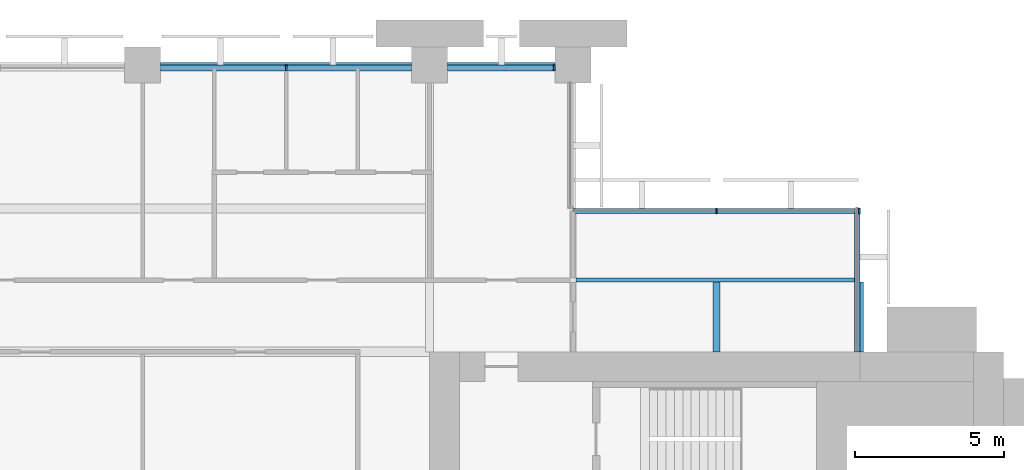
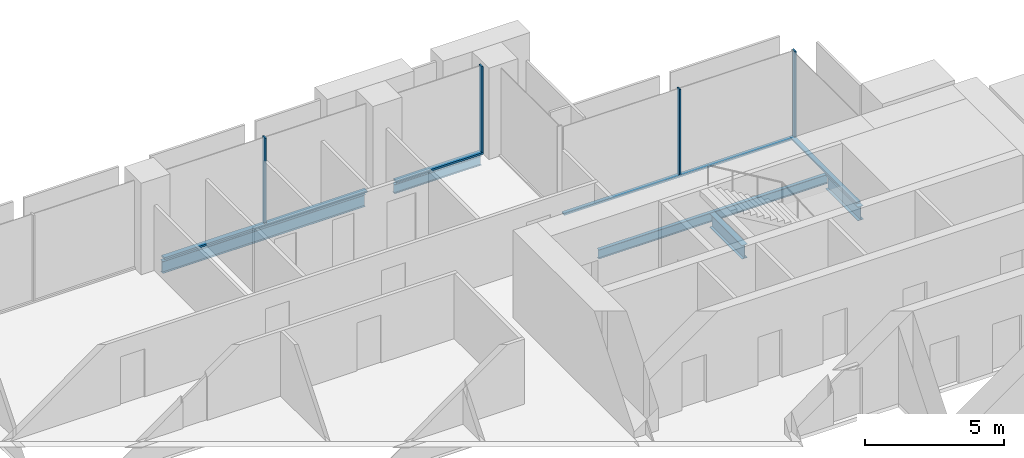
# One storey, part 7 of 14: 8 members, 5 beams, 3 elements without a shape of their own.
"""IFC4 building model written with IfcOpenShell, lengths in metres."""

from ifc_helpers import new_model, si_unit, direction, frame, origin, origin_2d, place, context, subcontext, project, spatial, rectangle, i_section, extrude, material, material_profile, profile_set, type_object, element, aggregate, save


model = new_model("IFC4")

# Units and contexts
model_context = context("Model", 3, precision=1e-05, world=origin(), true_north=direction((0.0, 1.0)))
body_context = subcontext(model_context, "Body", "Model", "MODEL_VIEW")
ifc_project = project(units=[si_unit("LENGTHUNIT", "METRE"), si_unit("AREAUNIT", "SQUARE_METRE"), si_unit("VOLUMEUNIT", "CUBIC_METRE"), si_unit("PLANEANGLEUNIT", "RADIAN"), si_unit("MASSUNIT", "GRAM", prefix="KILO")], contexts=[model_context])

# Site, building, storey
site_placement = place(None, origin())
site = spatial("IfcSite", under=ifc_project, at=site_placement, CompositionType="ELEMENT")
building_placement = place(site_placement, origin())
building = spatial("IfcBuilding", under=site, at=building_placement, Name="Baori Bourse Tower", CompositionType="ELEMENT")
storey_placement = place(building_placement, frame((0.0, 0.0, 124.10009765625)))
storey = spatial("IfcBuildingStorey", under=building, at=storey_placement, Name="L26", CompositionType="ELEMENT", Elevation=124.10009765625)

# Curtain wall, members
ifc_material_1 = material(Name="Pale anodised aluminium", Category="aluminium")
curtain_wall_type_1 = type_object("IfcCurtainWallType", Name="CW1 Curtain wall", PredefinedType="NOTDEFINED", material=ifc_material_1)
curtain_wall_1_placement = place(storey_placement, origin())
curtain_wall_1 = element("IfcCurtainWall", 1, at=curtain_wall_1_placement, inside=storey, type_object=curtain_wall_type_1, Name="Curtain wall CW1 L26 4", PredefinedType="NOTDEFINED")
ifc_material_2 = material(Name="Pale anodised aluminium", Category="aluminium")
ifc_material_profile_1 = material_profile(ifc_material_2, rectangle(XDim=0.199951171875, YDim=0.06005859375, at=origin_2d()), Name="Mullion 60x200")
ifc_profile_set_1 = profile_set([ifc_material_profile_1], Name="Pale anodised aluminium")
member_type_1 = type_object("IfcMemberType", Name="CW1 Curtain wall mullion", PredefinedType="MULLION", material=ifc_profile_set_1)
member_1_placement = place(storey_placement, frame((42.570068359375, 47.89990234375, 0.079833984375), z_axis=(0.0, 0.0, 1.0), x_axis=(0.0, -1.0, 0.0)))
member_1 = element("IfcMember", 2, at=member_1_placement, type_object=member_type_1, Name="Curtain wall CW1 mullion", PredefinedType="MULLION", context=body_context, shape_type="SweptSolid", body=[
    extrude(rectangle(XDim=0.199951171875, YDim=0.06005859375, at=origin_2d()), origin(), (0.0, 0.0, 1.0), 3.760009765625),
])
member_2_placement = place(storey_placement, frame((33.60009765625, 47.89990234375, 0.079833984375), z_axis=(0.0, 0.0, 1.0), x_axis=(0.0, -1.0, 0.0)))
member_2 = element("IfcMember", 3, at=member_2_placement, type_object=member_type_1, Name="Curtain wall CW1 mullion", PredefinedType="MULLION", context=body_context, shape_type="SweptSolid", body=[
    extrude(rectangle(XDim=0.199951171875, YDim=0.06005859375, at=origin_2d()), origin(), (0.0, 0.0, 1.0), 3.760009765625),
])
ifc_material_3 = material(Name="Pale anodised aluminium", Category="aluminium")
ifc_material_profile_2 = material_profile(ifc_material_3, rectangle(XDim=0.199951171875, YDim=0.080078125, at=origin_2d()), Name="Transom 80x200")
ifc_profile_set_2 = profile_set([ifc_material_profile_2], Name="Pale anodised aluminium")
member_type_2 = type_object("IfcMemberType", Name="CW1 Curtain wall transom", PredefinedType="USERDEFINED", material=ifc_profile_set_2)
member_3_placement = place(storey_placement, frame((42.60009765625, 47.89990234375, 0.039794921875), z_axis=(-1.0, 0.0, 0.0), x_axis=(0.0, -1.0, 0.0)))
member_3 = element("IfcMember", 4, at=member_3_placement, type_object=member_type_2, Name="Curtain wall CW1 sill rail", ObjectType="TRANSOM", PredefinedType="USERDEFINED", context=body_context, shape_type="SweptSolid", body=[
    extrude(rectangle(XDim=0.199951171875, YDim=0.080078125, at=origin_2d()), origin(), (0.0, 0.0, 1.0), 3.60009765625),
])
member_4_placement = place(storey_placement, frame((37.800048828125, 47.89990234375, 0.039794921875), z_axis=(-1.0, 0.0, 0.0), x_axis=(0.0, -1.0, 0.0)))
member_4 = element("IfcMember", 5, at=member_4_placement, type_object=member_type_2, Name="Curtain wall CW1 sill rail", ObjectType="TRANSOM", PredefinedType="USERDEFINED", context=body_context, shape_type="SweptSolid", body=[
    extrude(rectangle(XDim=0.199951171875, YDim=0.080078125, at=origin_2d()), origin(), (0.0, 0.0, 1.0), 8.400146484375),
])
aggregate(curtain_wall_1, [member_3, member_1, member_4, member_2])

ifc_material_4 = material(Name="Pale anodised aluminium", Category="aluminium")
curtain_wall_type_2 = type_object("IfcCurtainWallType", Name="CW2 Curtain wall", PredefinedType="NOTDEFINED", material=ifc_material_4)
curtain_wall_2_placement = place(storey_placement, origin())
curtain_wall_2 = element("IfcCurtainWall", 6, at=curtain_wall_2_placement, inside=storey, type_object=curtain_wall_type_2, Name="Curtain wall CW2 L26 2", PredefinedType="NOTDEFINED")
ifc_material_5 = material(Name="Pale anodised aluminium", Category="aluminium")
ifc_material_profile_3 = material_profile(ifc_material_5, rectangle(XDim=0.179931640625, YDim=0.054931640625, at=origin_2d()), Name="Mullion 55x180")
ifc_profile_set_3 = profile_set([ifc_material_profile_3], Name="Pale anodised aluminium")
member_type_3 = type_object("IfcMemberType", Name="CW2 Curtain wall mullion", PredefinedType="MULLION", material=ifc_profile_set_3)
member_5_placement = place(storey_placement, frame((52.7724609375, 43.110107421875, 0.06982421875), z_axis=(0.0, 0.0, 1.0), x_axis=(0.0, -1.0, 0.0)))
member_5 = element("IfcMember", 7, at=member_5_placement, type_object=member_type_3, Name="Curtain wall CW2 mullion", PredefinedType="MULLION", context=body_context, shape_type="SweptSolid", body=[
    extrude(rectangle(XDim=0.179931640625, YDim=0.054931640625, at=origin_2d()), origin(), (0.0, 0.0, 1.0), 3.77001953125),
])
member_6_placement = place(storey_placement, frame((48.0, 43.110107421875, 0.06982421875), z_axis=(0.0, 0.0, 1.0), x_axis=(0.0, -1.0, 0.0)))
member_6 = element("IfcMember", 8, at=member_6_placement, type_object=member_type_3, Name="Curtain wall CW2 mullion", PredefinedType="MULLION", context=body_context, shape_type="SweptSolid", body=[
    extrude(rectangle(XDim=0.179931640625, YDim=0.054931640625, at=origin_2d()), origin(), (0.0, 0.0, 1.0), 3.77001953125),
])

# Curtain wall, member
curtain_wall_3_placement = place(storey_placement, origin())
curtain_wall_3 = element("IfcCurtainWall", 9, at=curtain_wall_3_placement, inside=storey, type_object=curtain_wall_type_2, Name="Curtain wall CW2 L26 1", PredefinedType="NOTDEFINED")
ifc_material_6 = material(Name="Pale anodised aluminium", Category="aluminium")
ifc_material_profile_4 = material_profile(ifc_material_6, rectangle(XDim=0.179931640625, YDim=0.070068359375, at=origin_2d()), Name="Transom 70x180")
ifc_profile_set_4 = profile_set([ifc_material_profile_4], Name="Pale anodised aluminium")
member_type_4 = type_object("IfcMemberType", Name="CW2 Curtain wall transom", PredefinedType="USERDEFINED", material=ifc_profile_set_4)
member_7_placement = place(storey_placement, frame((52.7099609375, 38.39990234375, 0.034912109375), z_axis=(0.0, 1.0, 0.0), x_axis=(-1.0, 0.0, 0.0)))
member_7 = element("IfcMember", 10, at=member_7_placement, type_object=member_type_4, Name="Curtain wall CW2 sill rail", ObjectType="TRANSOM", PredefinedType="USERDEFINED", context=body_context, shape_type="SweptSolid", body=[
    extrude(rectangle(XDim=0.179931640625, YDim=0.070068359375, at=origin_2d()), origin(), (0.0, 0.0, 1.0), 4.800048828125),
])
aggregate(curtain_wall_3, [member_7])

# Member
member_8_placement = place(storey_placement, frame((52.800048828125, 43.110107421875, 0.034912109375), z_axis=(-1.0, 0.0, 0.0), x_axis=(0.0, -1.0, 0.0)))
member_8 = element("IfcMember", 11, at=member_8_placement, type_object=member_type_4, Name="Curtain wall CW2 sill rail", ObjectType="TRANSOM", PredefinedType="USERDEFINED", context=body_context, shape_type="SweptSolid", body=[
    extrude(rectangle(XDim=0.179931640625, YDim=0.070068359375, at=origin_2d()), origin(), (0.0, 0.0, 1.0), 9.60009765625),
])

aggregate(curtain_wall_2, [member_8, member_5, member_6])

# Beams
ifc_material_7 = material(Name="Steel A992 Gr 50", Category="steel")
ifc_material_profile_5 = material_profile(ifc_material_7, i_section(OverallWidth=0.227783203125, OverallDepth=0.60205078125, WebThickness=0.010498046875, FlangeThickness=0.014892578125, at=origin_2d()), Name="W24x68")
ifc_profile_set_5 = profile_set([ifc_material_profile_5], Name="Steel A992 Gr 50")
beam_type_1 = type_object("IfcBeamType", Name="Core bracket W24x68", PredefinedType="BEAM", material=ifc_profile_set_5)
for number, where, z_axis, x_axis, name in (
    (12, (48.0, 38.39990234375, -0.461181640625), (0.0, 1.0, 0.0), (-1.0, 0.0, 0.0), "Core bracket L26"),
    (13, (52.800048828125, 38.39990234375, -0.461181640625), (0.0, 1.0, 0.0), (-1.0, 0.0, 0.0), "Core bracket L26"),
):
    element("IfcBeam", number, at=place(storey_placement, frame(where, z_axis=z_axis, x_axis=x_axis)), inside=storey, type_object=beam_type_1, Name=name, PredefinedType="BEAM", context=body_context, shape_type="SweptSolid", body=[
        extrude(i_section(OverallWidth=0.227783203125, OverallDepth=0.60205078125, WebThickness=0.010498046875, FlangeThickness=0.014892578125, at=origin_2d()), origin(), (0.0, 0.0, 1.0), 2.329833984375),
    ])
ifc_material_8 = material(Name="Steel A992 Gr 50", Category="steel")
ifc_material_profile_6 = material_profile(ifc_material_8, i_section(OverallWidth=0.140380859375, OverallDepth=0.40380859375, WebThickness=0.007080078125, FlangeThickness=0.01123046875, at=origin_2d()), Name="W16x31")
ifc_profile_set_6 = profile_set([ifc_material_profile_6], Name="Steel A992 Gr 50")
beam_type_2 = type_object("IfcBeamType", Name="Edge beam W16x31", PredefinedType="BEAM", material=ifc_profile_set_6)
beam_1_placement = place(storey_placement, frame((39.0, 48.0, -0.362060546875), z_axis=(1.0, 0.0, 0.0), x_axis=(0.0, 1.0, 0.0)))
element("IfcBeam", 14, at=beam_1_placement, inside=storey, type_object=beam_type_2, Name="Edge beam L26", PredefinedType="BEAM", context=body_context, shape_type="SweptSolid", body=[
    extrude(i_section(OverallWidth=0.140380859375, OverallDepth=0.40380859375, WebThickness=0.007080078125, FlangeThickness=0.01123046875, at=origin_2d()), origin(), (0.0, 0.0, 1.0), 3.60009765625),
])
ifc_material_9 = material(Name="Steel A992 Gr 50", Category="steel")
ifc_material_profile_7 = material_profile(ifc_material_9, i_section(OverallWidth=0.1650390625, OverallDepth=0.52587890625, WebThickness=0.0087890625, FlangeThickness=0.011474609375, at=origin_2d()), Name="W21x44")
ifc_profile_set_7 = profile_set([ifc_material_profile_7], Name="Steel A992 Gr 50")
beam_type_3 = type_object("IfcBeamType", Name="Edge beam W21x44", PredefinedType="BEAM", material=ifc_profile_set_7)
beam_2_placement = place(storey_placement, frame((29.39990234375, 48.0, -0.423095703125), z_axis=(1.0, 0.0, 0.0), x_axis=(0.0, 1.0, 0.0)))
element("IfcBeam", 15, at=beam_2_placement, inside=storey, type_object=beam_type_3, Name="Edge beam L26", PredefinedType="BEAM", context=body_context, shape_type="SweptSolid", body=[
    extrude(i_section(OverallWidth=0.1650390625, OverallDepth=0.52587890625, WebThickness=0.0087890625, FlangeThickness=0.011474609375, at=origin_2d()), origin(), (0.0, 0.0, 1.0), 8.400146484375),
])
ifc_material_10 = material(Name="Steel A992 Gr 50", Category="steel")
ifc_material_profile_8 = material_profile(ifc_material_10, i_section(OverallWidth=0.140380859375, OverallDepth=0.40380859375, WebThickness=0.007080078125, FlangeThickness=0.01123046875, at=origin_2d()), Name="W16x31")
ifc_profile_set_8 = profile_set([ifc_material_profile_8], Name="Steel A992 Gr 50")
beam_type_4 = type_object("IfcBeamType", Name="Trimmer beam W16x31", PredefinedType="BEAM", material=ifc_profile_set_8)
beam_3_placement = place(storey_placement, frame((43.30615234375, 40.800048828125, -0.362060546875), z_axis=(1.0, 0.0, 0.0), x_axis=(0.0, 1.0, 0.0)))
element("IfcBeam", 16, at=beam_3_placement, inside=storey, type_object=beam_type_4, Name="Trimmer beam L26", PredefinedType="BEAM", context=body_context, shape_type="SweptSolid", body=[
    extrude(i_section(OverallWidth=0.140380859375, OverallDepth=0.40380859375, WebThickness=0.007080078125, FlangeThickness=0.01123046875, at=origin_2d()), origin(), (0.0, 0.0, 1.0), 9.493896484375),
])

save(model, "model.ifc")
